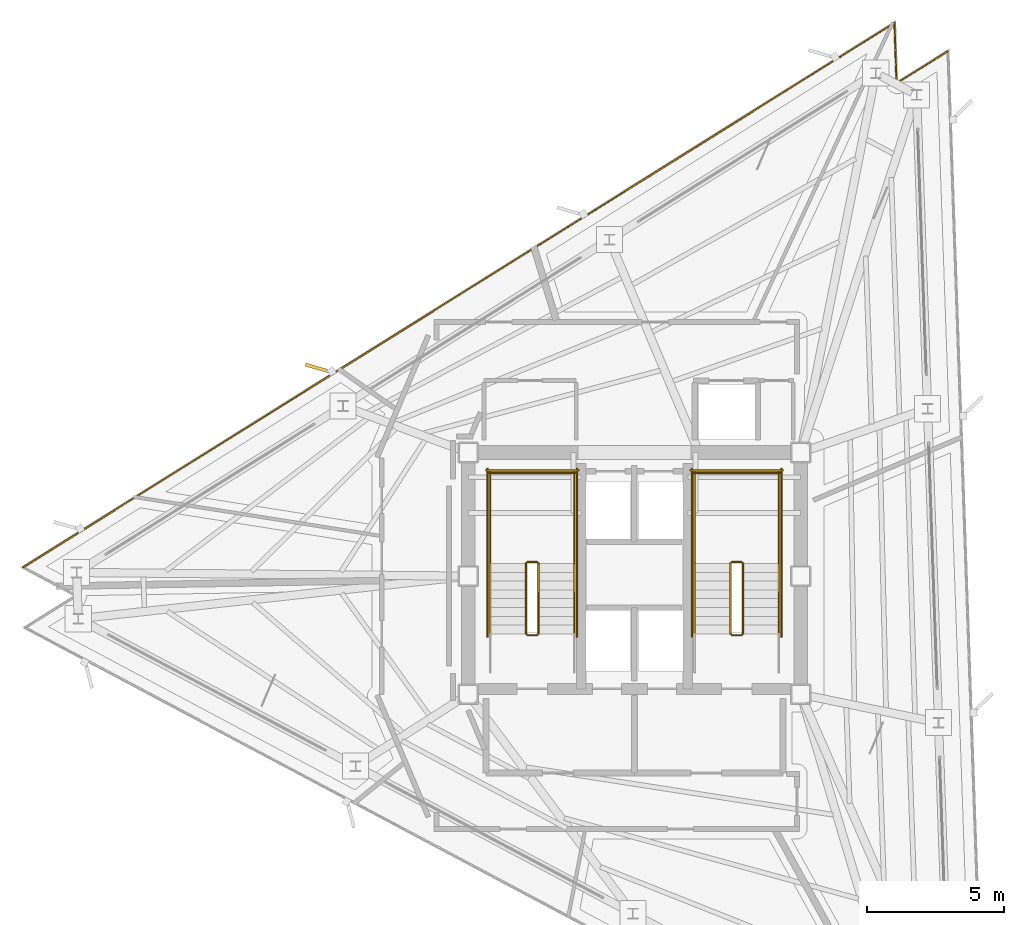
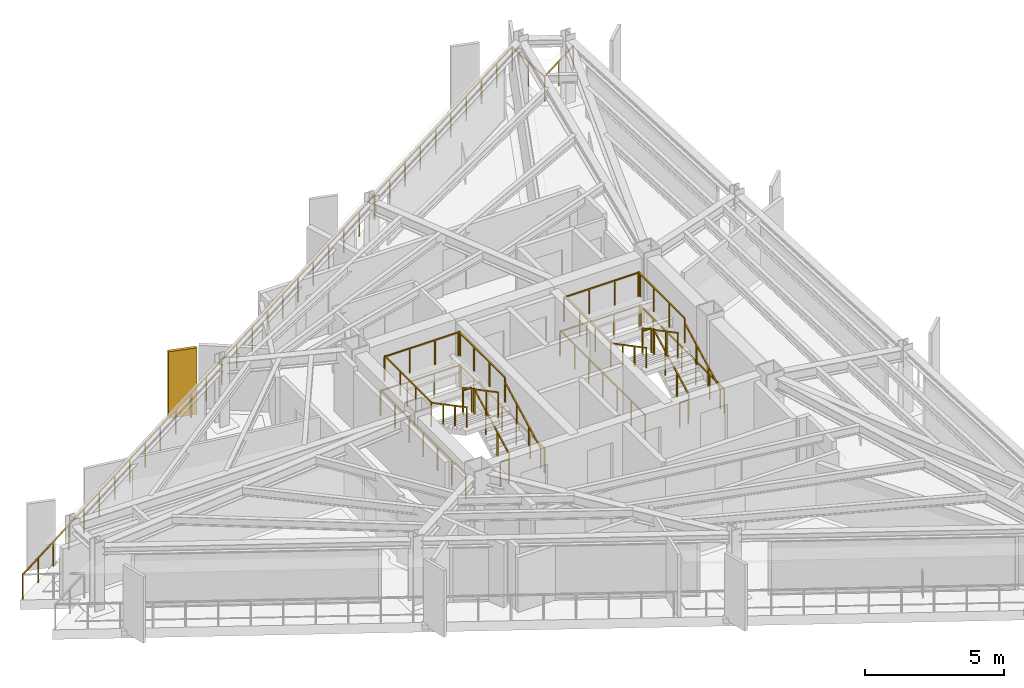
# One storey, part 12 of 13: 25 railings, 1 shading device.
"""IFC4 building model written with IfcOpenShell, lengths in metres."""

from ifc_helpers import new_model, si_unit, direction, frame, origin, origin_2d, place, context, subcontext, project, spatial, rectangle, extrude, material, layer, layer_set, type_object, element, save


model = new_model("IFC4")

# Units and contexts
model_context = context("Model", 3, precision=1e-05, world=origin(), true_north=direction((0.0, 1.0)))
body_context = subcontext(model_context, "Body", "Model", "MODEL_VIEW")
ifc_project = project(units=[si_unit("LENGTHUNIT", "METRE"), si_unit("AREAUNIT", "SQUARE_METRE"), si_unit("VOLUMEUNIT", "CUBIC_METRE"), si_unit("PLANEANGLEUNIT", "RADIAN"), si_unit("MASSUNIT", "GRAM", prefix="KILO")], contexts=[model_context])

# Site, building, storey
site_placement = place(None, origin())
site = spatial("IfcSite", under=ifc_project, at=site_placement, CompositionType="ELEMENT")
building_placement = place(site_placement, origin())
building = spatial("IfcBuilding", under=site, at=building_placement, Name="Rocaltana Carrier Exchange", CompositionType="ELEMENT")
storey_placement = place(building_placement, frame((0.0, 0.0, 193.60009765625)))
storey = spatial("IfcBuildingStorey", under=building, at=storey_placement, Name="L61", CompositionType="ELEMENT", Elevation=193.60009765625)

# Railings
ifc_material_1 = material(Name="Brushed Architectural Stainless Tube", Category="steel")
ifc_layer_1 = layer(ifc_material_1, 0.048095703125)
ifc_layer_set_1 = layer_set([ifc_layer_1], Name="Brushed Architectural Stainless Tube")
railing_type_1 = type_object("IfcRailingType", Name="Stair Wall Handrail 920", PredefinedType="HANDRAIL", material=ifc_layer_set_1)
railing_1_placement = place(storey_placement, frame((-2.18994140625, -2.10009765625, 0.168701171875)))
element("IfcRailing", 1, at=railing_1_placement, inside=storey, type_object=railing_type_1, Name="L61 ST-1 stair handrail 1", PredefinedType="HANDRAIL", context=body_context, shape_type="SweptSolid", body=[
    extrude(rectangle(XDim=0.048095703125, YDim=0.048095703125, at=origin_2d()), frame((0.0, 0.0, 0.8759765625), z_axis=(0.0, 0.884359608194, 0.46680625895), x_axis=(-1.0, 0.0, 0.0)), (0.0, 0.0, 1.0), 2.894775390625),
    extrude(rectangle(XDim=0.0419921875, YDim=0.0419921875, at=origin_2d()), origin(), (0.0, 0.0, 1.0), 0.851806640625),
    extrude(rectangle(XDim=0.0419921875, YDim=0.0419921875, at=origin_2d()), frame((0.0, 0.853271484375, 0.450439453125)), (0.0, 0.0, 1.0), 0.851806640625),
    extrude(rectangle(XDim=0.0419921875, YDim=0.0419921875, at=origin_2d()), frame((0.0, 1.706787109375, 0.90087890625)), (0.0, 0.0, 1.0), 0.851806640625),
    extrude(rectangle(XDim=0.0419921875, YDim=0.0419921875, at=origin_2d()), frame((0.0, 2.56005859375, 1.351318359375)), (0.0, 0.0, 1.0), 0.851806640625),
])
railing_2_placement = place(storey_placement, frame((-5.25, 0.4599609375, 1.688720703125)))
element("IfcRailing", 2, at=railing_2_placement, inside=storey, type_object=railing_type_1, Name="L61 ST-1 stair handrail 2", PredefinedType="HANDRAIL", context=body_context, shape_type="SweptSolid", body=[
    extrude(rectangle(XDim=0.048095703125, YDim=0.048095703125, at=origin_2d()), frame((0.0, 0.0, 0.8759765625), z_axis=(0.0, -0.884394423565, 0.466740295633), x_axis=(1.0, 0.0, 0.0)), (0.0, 0.0, 1.0), 2.894775390625),
    extrude(rectangle(XDim=0.0419921875, YDim=0.0419921875, at=origin_2d()), origin(), (0.0, 0.0, 1.0), 0.851806640625),
    extrude(rectangle(XDim=0.0419921875, YDim=0.0419921875, at=origin_2d()), frame((0.0, -0.853271484375, 0.450439453125)), (0.0, 0.0, 1.0), 0.851806640625),
    extrude(rectangle(XDim=0.0419921875, YDim=0.0419921875, at=origin_2d()), frame((0.0, -1.706787109375, 0.900634765625)), (0.0, 0.0, 1.0), 0.851806640625),
    extrude(rectangle(XDim=0.0419921875, YDim=0.0419921875, at=origin_2d()), frame((0.0, -2.56005859375, 1.35107421875)), (0.0, 0.0, 1.0), 0.851806640625),
])
railing_3_placement = place(storey_placement, frame((5.25, -2.10009765625, 0.168701171875)))
element("IfcRailing", 3, at=railing_3_placement, inside=storey, type_object=railing_type_1, Name="L61 ST-2 stair handrail 1", PredefinedType="HANDRAIL", context=body_context, shape_type="SweptSolid", body=[
    extrude(rectangle(XDim=0.048095703125, YDim=0.048095703125, at=origin_2d()), frame((0.0, 0.0, 0.8759765625), z_axis=(0.0, 0.884359608194, 0.46680625895), x_axis=(-1.0, 0.0, 0.0)), (0.0, 0.0, 1.0), 2.894775390625),
    extrude(rectangle(XDim=0.0419921875, YDim=0.0419921875, at=origin_2d()), origin(), (0.0, 0.0, 1.0), 0.851806640625),
    extrude(rectangle(XDim=0.0419921875, YDim=0.0419921875, at=origin_2d()), frame((0.0, 0.853271484375, 0.450439453125)), (0.0, 0.0, 1.0), 0.851806640625),
    extrude(rectangle(XDim=0.0419921875, YDim=0.0419921875, at=origin_2d()), frame((0.0, 1.706787109375, 0.90087890625)), (0.0, 0.0, 1.0), 0.851806640625),
    extrude(rectangle(XDim=0.0419921875, YDim=0.0419921875, at=origin_2d()), frame((0.0, 2.56005859375, 1.351318359375)), (0.0, 0.0, 1.0), 0.851806640625),
])
railing_4_placement = place(storey_placement, frame((2.18994140625, 0.4599609375, 1.688720703125)))
element("IfcRailing", 4, at=railing_4_placement, inside=storey, type_object=railing_type_1, Name="L61 ST-2 stair handrail 2", PredefinedType="HANDRAIL", context=body_context, shape_type="SweptSolid", body=[
    extrude(rectangle(XDim=0.048095703125, YDim=0.048095703125, at=origin_2d()), frame((0.0, 0.0, 0.8759765625), z_axis=(0.0, -0.884394423565, 0.466740295633), x_axis=(1.0, 0.0, 0.0)), (0.0, 0.0, 1.0), 2.894775390625),
    extrude(rectangle(XDim=0.0419921875, YDim=0.0419921875, at=origin_2d()), origin(), (0.0, 0.0, 1.0), 0.851806640625),
    extrude(rectangle(XDim=0.0419921875, YDim=0.0419921875, at=origin_2d()), frame((0.0, -0.853271484375, 0.450439453125)), (0.0, 0.0, 1.0), 0.851806640625),
    extrude(rectangle(XDim=0.0419921875, YDim=0.0419921875, at=origin_2d()), frame((0.0, -1.706787109375, 0.900634765625)), (0.0, 0.0, 1.0), 0.851806640625),
    extrude(rectangle(XDim=0.0419921875, YDim=0.0419921875, at=origin_2d()), frame((0.0, -2.56005859375, 1.35107421875)), (0.0, 0.0, 1.0), 0.851806640625),
])
ifc_material_2 = material(Name="Powder-Coated Aluminium 6063-T6", Category="aluminium")
ifc_layer_2 = layer(ifc_material_2, 0.048095703125)
ifc_layer_set_2 = layer_set([ifc_layer_2], Name="Powder-Coated Aluminium 6063-T6")
railing_type_2 = type_object("IfcRailingType", Name="Stair Well Guardrail 1100", PredefinedType="GUARDRAIL", material=ifc_layer_set_2)
railing_5_placement = place(storey_placement, frame((-3.489990234375, -2.10009765625, 0.168701171875)))
element("IfcRailing", 5, at=railing_5_placement, inside=storey, type_object=railing_type_2, Name="L61 ST-1 stair guard 1", PredefinedType="GUARDRAIL", context=body_context, shape_type="SweptSolid", body=[
    extrude(rectangle(XDim=0.048095703125, YDim=0.048095703125, at=origin_2d()), frame((0.0, 0.0, 1.076171875), z_axis=(0.0, 0.884359608194, 0.46680625895), x_axis=(-1.0, 0.0, 0.0)), (0.0, 0.0, 1.0), 2.894775390625),
    extrude(rectangle(XDim=0.0419921875, YDim=0.0419921875, at=origin_2d()), origin(), (0.0, 0.0, 1.0), 1.052001953125),
    extrude(rectangle(XDim=0.0419921875, YDim=0.0419921875, at=origin_2d()), frame((0.0, 0.853271484375, 0.450439453125)), (0.0, 0.0, 1.0), 1.052001953125),
    extrude(rectangle(XDim=0.0419921875, YDim=0.0419921875, at=origin_2d()), frame((0.0, 1.706787109375, 0.90087890625)), (0.0, 0.0, 1.0), 1.052001953125),
    extrude(rectangle(XDim=0.0419921875, YDim=0.0419921875, at=origin_2d()), frame((0.0, 2.56005859375, 1.351318359375)), (0.0, 0.0, 1.0), 1.052001953125),
])
railing_6_placement = place(storey_placement, frame((-3.5400390625, 0.510009765625, 1.52001953125)))
element("IfcRailing", 6, at=railing_6_placement, inside=storey, type_object=railing_type_2, Name="L61 ST-1 stair guard 2", PredefinedType="GUARDRAIL", context=body_context, shape_type="SweptSolid", body=[
    extrude(rectangle(XDim=0.048095703125, YDim=0.048095703125, at=origin_2d()), frame((0.0, 0.0, 1.076171875), z_axis=(-1.0, 0.0, 0.0), x_axis=(0.0, -1.0, 0.0)), (0.0, 0.0, 1.0), 0.35986328125),
    extrude(rectangle(XDim=0.0419921875, YDim=0.0419921875, at=origin_2d()), origin(), (0.0, 0.0, 1.0), 1.052001953125),
    extrude(rectangle(XDim=0.0419921875, YDim=0.0419921875, at=origin_2d()), frame((-0.35986328125, 0.0, 0.0)), (0.0, 0.0, 1.0), 1.052001953125),
])
for number, where, name in (
    (7, (-2.18994140625, 0.4599609375, 1.52001953125), "L61 ST-1 stair guard 3"),
    (8, (-5.25, 0.4599609375, 1.52001953125), "L61 ST-1 stair guard 4"),
):
    element("IfcRailing", number, at=place(storey_placement, frame(where)), inside=storey, type_object=railing_type_2, Name=name, PredefinedType="GUARDRAIL", context=body_context, shape_type="SweptSolid", body=[
        extrude(rectangle(XDim=0.048095703125, YDim=0.048095703125, at=origin_2d()), frame((0.0, 0.0, 1.076171875), z_axis=(0.0, 1.0, 0.0), x_axis=(-1.0, 0.0, 0.0)), (0.0, 0.0, 1.0), 3.340087890625),
        extrude(rectangle(XDim=0.0419921875, YDim=0.0419921875, at=origin_2d()), origin(), (0.0, 0.0, 1.0), 1.052001953125),
        extrude(rectangle(XDim=0.0419921875, YDim=0.0419921875, at=origin_2d()), frame((0.0, 1.11328125, 0.0)), (0.0, 0.0, 1.0), 1.052001953125),
        extrude(rectangle(XDim=0.0419921875, YDim=0.0419921875, at=origin_2d()), frame((0.0, 2.226806640625, 0.0)), (0.0, 0.0, 1.0), 1.052001953125),
        extrude(rectangle(XDim=0.0419921875, YDim=0.0419921875, at=origin_2d()), frame((0.0, 3.340087890625, 0.0)), (0.0, 0.0, 1.0), 1.052001953125),
    ])
railing_7_placement = place(storey_placement, frame((-2.139892578125, 3.75, 1.52001953125)))
element("IfcRailing", 9, at=railing_7_placement, inside=storey, type_object=railing_type_2, Name="L61 ST-1 stair guard 5", PredefinedType="GUARDRAIL", context=body_context, shape_type="SweptSolid", body=[
    extrude(rectangle(XDim=0.048095703125, YDim=0.048095703125, at=origin_2d()), frame((0.0, 0.0, 1.076171875), z_axis=(-1.0, 0.0, 0.0), x_axis=(0.0, -1.0, 0.0)), (0.0, 0.0, 1.0), 3.16015625),
    extrude(rectangle(XDim=0.0419921875, YDim=0.0419921875, at=origin_2d()), origin(), (0.0, 0.0, 1.0), 1.052001953125),
    extrude(rectangle(XDim=0.0419921875, YDim=0.0419921875, at=origin_2d()), frame((-1.053466796875, 0.0, 0.0)), (0.0, 0.0, 1.0), 1.052001953125),
    extrude(rectangle(XDim=0.0419921875, YDim=0.0419921875, at=origin_2d()), frame((-2.106689453125, 0.0, 0.0)), (0.0, 0.0, 1.0), 1.052001953125),
    extrude(rectangle(XDim=0.0419921875, YDim=0.0419921875, at=origin_2d()), frame((-3.16015625, 0.0, 0.0)), (0.0, 0.0, 1.0), 1.052001953125),
])
railing_8_placement = place(storey_placement, frame((-3.949951171875, 0.4599609375, 1.688720703125)))
element("IfcRailing", 10, at=railing_8_placement, inside=storey, type_object=railing_type_2, Name="L61 ST-1 stair guard 6", PredefinedType="GUARDRAIL", context=body_context, shape_type="SweptSolid", body=[
    extrude(rectangle(XDim=0.048095703125, YDim=0.048095703125, at=origin_2d()), frame((0.0, 0.0, 1.076171875), z_axis=(0.0, -0.884394423565, 0.466740295633), x_axis=(1.0, 0.0, 0.0)), (0.0, 0.0, 1.0), 2.894775390625),
    extrude(rectangle(XDim=0.0419921875, YDim=0.0419921875, at=origin_2d()), origin(), (0.0, 0.0, 1.0), 1.052001953125),
    extrude(rectangle(XDim=0.0419921875, YDim=0.0419921875, at=origin_2d()), frame((0.0, -0.853271484375, 0.450439453125)), (0.0, 0.0, 1.0), 1.052001953125),
    extrude(rectangle(XDim=0.0419921875, YDim=0.0419921875, at=origin_2d()), frame((0.0, -1.706787109375, 0.900634765625)), (0.0, 0.0, 1.0), 1.052001953125),
    extrude(rectangle(XDim=0.0419921875, YDim=0.0419921875, at=origin_2d()), frame((0.0, -2.56005859375, 1.35107421875)), (0.0, 0.0, 1.0), 1.052001953125),
])
railing_9_placement = place(storey_placement, frame((-3.5400390625, -2.14990234375, 0.0)))
element("IfcRailing", 11, at=railing_9_placement, inside=storey, type_object=railing_type_2, Name="L61 ST-1 stair guard 7", PredefinedType="GUARDRAIL", context=body_context, shape_type="SweptSolid", body=[
    extrude(rectangle(XDim=0.048095703125, YDim=0.048095703125, at=origin_2d()), frame((0.0, 0.0, 1.076171875), z_axis=(-1.0, 0.0, 0.0), x_axis=(0.0, -1.0, 0.0)), (0.0, 0.0, 1.0), 0.35986328125),
    extrude(rectangle(XDim=0.0419921875, YDim=0.0419921875, at=origin_2d()), origin(), (0.0, 0.0, 1.0), 1.052001953125),
    extrude(rectangle(XDim=0.0419921875, YDim=0.0419921875, at=origin_2d()), frame((-0.35986328125, 0.0, 0.0)), (0.0, 0.0, 1.0), 1.052001953125),
])
for number, where, name in (
    (12, (-2.090087890625, -2.199951171875, 0.0), "L61 ST-1 stair guard 10"),
    (13, (-5.35009765625, -2.199951171875, 0.0), "L61 ST-1 stair guard 11"),
):
    element("IfcRailing", number, at=place(storey_placement, frame(where)), inside=storey, type_object=railing_type_2, Name=name, PredefinedType="GUARDRAIL", context=body_context, shape_type="SweptSolid", body=[
        extrude(rectangle(XDim=0.048095703125, YDim=0.048095703125, at=origin_2d()), frame((0.0, 0.0, 1.076171875), z_axis=(0.0, 1.0, 0.0), x_axis=(-1.0, 0.0, 0.0)), (0.0, 0.0, 1.0), 6.099853515625),
        extrude(rectangle(XDim=0.0419921875, YDim=0.0419921875, at=origin_2d()), origin(), (0.0, 0.0, 1.0), 1.052001953125),
        extrude(rectangle(XDim=0.0419921875, YDim=0.0419921875, at=origin_2d()), frame((0.0, 1.0166015625, 0.0)), (0.0, 0.0, 1.0), 1.052001953125),
        extrude(rectangle(XDim=0.0419921875, YDim=0.0419921875, at=origin_2d()), frame((0.0, 2.033203125, 0.0)), (0.0, 0.0, 1.0), 1.052001953125),
        extrude(rectangle(XDim=0.0419921875, YDim=0.0419921875, at=origin_2d()), frame((0.0, 3.0498046875, 0.0)), (0.0, 0.0, 1.0), 1.052001953125),
        extrude(rectangle(XDim=0.0419921875, YDim=0.0419921875, at=origin_2d()), frame((0.0, 4.066650390625, 0.0)), (0.0, 0.0, 1.0), 1.052001953125),
        extrude(rectangle(XDim=0.0419921875, YDim=0.0419921875, at=origin_2d()), frame((0.0, 5.083251953125, 0.0)), (0.0, 0.0, 1.0), 1.052001953125),
        extrude(rectangle(XDim=0.0419921875, YDim=0.0419921875, at=origin_2d()), frame((0.0, 6.099853515625, 0.0)), (0.0, 0.0, 1.0), 1.052001953125),
    ])
railing_10_placement = place(storey_placement, frame((-2.0400390625, 3.85009765625, 0.0)))
element("IfcRailing", 14, at=railing_10_placement, inside=storey, type_object=railing_type_2, Name="L61 ST-1 stair guard 12", PredefinedType="GUARDRAIL", context=body_context, shape_type="SweptSolid", body=[
    extrude(rectangle(XDim=0.048095703125, YDim=0.048095703125, at=origin_2d()), frame((0.0, 0.0, 1.076171875), z_axis=(-1.0, 0.0, 0.0), x_axis=(0.0, -1.0, 0.0)), (0.0, 0.0, 1.0), 3.35986328125),
    extrude(rectangle(XDim=0.0419921875, YDim=0.0419921875, at=origin_2d()), origin(), (0.0, 0.0, 1.0), 1.052001953125),
    extrude(rectangle(XDim=0.0419921875, YDim=0.0419921875, at=origin_2d()), frame((-1.119873046875, 0.0, 0.0)), (0.0, 0.0, 1.0), 1.052001953125),
    extrude(rectangle(XDim=0.0419921875, YDim=0.0419921875, at=origin_2d()), frame((-2.239990234375, 0.0, 0.0)), (0.0, 0.0, 1.0), 1.052001953125),
    extrude(rectangle(XDim=0.0419921875, YDim=0.0419921875, at=origin_2d()), frame((-3.35986328125, 0.0, 0.0)), (0.0, 0.0, 1.0), 1.052001953125),
])
railing_11_placement = place(storey_placement, frame((3.949951171875, -2.10009765625, 0.168701171875)))
element("IfcRailing", 15, at=railing_11_placement, inside=storey, type_object=railing_type_2, Name="L61 ST-2 stair guard 1", PredefinedType="GUARDRAIL", context=body_context, shape_type="SweptSolid", body=[
    extrude(rectangle(XDim=0.048095703125, YDim=0.048095703125, at=origin_2d()), frame((0.0, 0.0, 1.076171875), z_axis=(0.0, 0.884359608194, 0.46680625895), x_axis=(-1.0, 0.0, 0.0)), (0.0, 0.0, 1.0), 2.894775390625),
    extrude(rectangle(XDim=0.0419921875, YDim=0.0419921875, at=origin_2d()), origin(), (0.0, 0.0, 1.0), 1.052001953125),
    extrude(rectangle(XDim=0.0419921875, YDim=0.0419921875, at=origin_2d()), frame((0.0, 0.853271484375, 0.450439453125)), (0.0, 0.0, 1.0), 1.052001953125),
    extrude(rectangle(XDim=0.0419921875, YDim=0.0419921875, at=origin_2d()), frame((0.0, 1.706787109375, 0.90087890625)), (0.0, 0.0, 1.0), 1.052001953125),
    extrude(rectangle(XDim=0.0419921875, YDim=0.0419921875, at=origin_2d()), frame((0.0, 2.56005859375, 1.351318359375)), (0.0, 0.0, 1.0), 1.052001953125),
])
railing_12_placement = place(storey_placement, frame((3.89990234375, 0.510009765625, 1.52001953125)))
element("IfcRailing", 16, at=railing_12_placement, inside=storey, type_object=railing_type_2, Name="L61 ST-2 stair guard 2", PredefinedType="GUARDRAIL", context=body_context, shape_type="SweptSolid", body=[
    extrude(rectangle(XDim=0.048095703125, YDim=0.048095703125, at=origin_2d()), frame((0.0, 0.0, 1.076171875), z_axis=(-1.0, 0.0, 0.0), x_axis=(0.0, -1.0, 0.0)), (0.0, 0.0, 1.0), 0.35986328125),
    extrude(rectangle(XDim=0.0419921875, YDim=0.0419921875, at=origin_2d()), origin(), (0.0, 0.0, 1.0), 1.052001953125),
    extrude(rectangle(XDim=0.0419921875, YDim=0.0419921875, at=origin_2d()), frame((-0.35986328125, 0.0, 0.0)), (0.0, 0.0, 1.0), 1.052001953125),
])
for number, where, name in (
    (17, (5.25, 0.4599609375, 1.52001953125), "L61 ST-2 stair guard 3"),
    (18, (2.18994140625, 0.4599609375, 1.52001953125), "L61 ST-2 stair guard 4"),
):
    element("IfcRailing", number, at=place(storey_placement, frame(where)), inside=storey, type_object=railing_type_2, Name=name, PredefinedType="GUARDRAIL", context=body_context, shape_type="SweptSolid", body=[
        extrude(rectangle(XDim=0.048095703125, YDim=0.048095703125, at=origin_2d()), frame((0.0, 0.0, 1.076171875), z_axis=(0.0, 1.0, 0.0), x_axis=(-1.0, 0.0, 0.0)), (0.0, 0.0, 1.0), 3.340087890625),
        extrude(rectangle(XDim=0.0419921875, YDim=0.0419921875, at=origin_2d()), origin(), (0.0, 0.0, 1.0), 1.052001953125),
        extrude(rectangle(XDim=0.0419921875, YDim=0.0419921875, at=origin_2d()), frame((0.0, 1.11328125, 0.0)), (0.0, 0.0, 1.0), 1.052001953125),
        extrude(rectangle(XDim=0.0419921875, YDim=0.0419921875, at=origin_2d()), frame((0.0, 2.226806640625, 0.0)), (0.0, 0.0, 1.0), 1.052001953125),
        extrude(rectangle(XDim=0.0419921875, YDim=0.0419921875, at=origin_2d()), frame((0.0, 3.340087890625, 0.0)), (0.0, 0.0, 1.0), 1.052001953125),
    ])
railing_13_placement = place(storey_placement, frame((5.300048828125, 3.75, 1.52001953125)))
element("IfcRailing", 19, at=railing_13_placement, inside=storey, type_object=railing_type_2, Name="L61 ST-2 stair guard 5", PredefinedType="GUARDRAIL", context=body_context, shape_type="SweptSolid", body=[
    extrude(rectangle(XDim=0.048095703125, YDim=0.048095703125, at=origin_2d()), frame((0.0, 0.0, 1.076171875), z_axis=(-1.0, 0.0, 0.0), x_axis=(0.0, -1.0, 0.0)), (0.0, 0.0, 1.0), 3.16015625),
    extrude(rectangle(XDim=0.0419921875, YDim=0.0419921875, at=origin_2d()), origin(), (0.0, 0.0, 1.0), 1.052001953125),
    extrude(rectangle(XDim=0.0419921875, YDim=0.0419921875, at=origin_2d()), frame((-1.053466796875, 0.0, 0.0)), (0.0, 0.0, 1.0), 1.052001953125),
    extrude(rectangle(XDim=0.0419921875, YDim=0.0419921875, at=origin_2d()), frame((-2.106689453125, 0.0, 0.0)), (0.0, 0.0, 1.0), 1.052001953125),
    extrude(rectangle(XDim=0.0419921875, YDim=0.0419921875, at=origin_2d()), frame((-3.16015625, 0.0, 0.0)), (0.0, 0.0, 1.0), 1.052001953125),
])
railing_14_placement = place(storey_placement, frame((3.489990234375, 0.4599609375, 1.688720703125)))
element("IfcRailing", 20, at=railing_14_placement, inside=storey, type_object=railing_type_2, Name="L61 ST-2 stair guard 6", PredefinedType="GUARDRAIL", context=body_context, shape_type="SweptSolid", body=[
    extrude(rectangle(XDim=0.048095703125, YDim=0.048095703125, at=origin_2d()), frame((0.0, 0.0, 1.076171875), z_axis=(0.0, -0.884394423565, 0.466740295633), x_axis=(1.0, 0.0, 0.0)), (0.0, 0.0, 1.0), 2.894775390625),
    extrude(rectangle(XDim=0.0419921875, YDim=0.0419921875, at=origin_2d()), origin(), (0.0, 0.0, 1.0), 1.052001953125),
    extrude(rectangle(XDim=0.0419921875, YDim=0.0419921875, at=origin_2d()), frame((0.0, -0.853271484375, 0.450439453125)), (0.0, 0.0, 1.0), 1.052001953125),
    extrude(rectangle(XDim=0.0419921875, YDim=0.0419921875, at=origin_2d()), frame((0.0, -1.706787109375, 0.900634765625)), (0.0, 0.0, 1.0), 1.052001953125),
    extrude(rectangle(XDim=0.0419921875, YDim=0.0419921875, at=origin_2d()), frame((0.0, -2.56005859375, 1.35107421875)), (0.0, 0.0, 1.0), 1.052001953125),
])
railing_15_placement = place(storey_placement, frame((3.89990234375, -2.14990234375, 0.0)))
element("IfcRailing", 21, at=railing_15_placement, inside=storey, type_object=railing_type_2, Name="L61 ST-2 stair guard 7", PredefinedType="GUARDRAIL", context=body_context, shape_type="SweptSolid", body=[
    extrude(rectangle(XDim=0.048095703125, YDim=0.048095703125, at=origin_2d()), frame((0.0, 0.0, 1.076171875), z_axis=(-1.0, 0.0, 0.0), x_axis=(0.0, -1.0, 0.0)), (0.0, 0.0, 1.0), 0.35986328125),
    extrude(rectangle(XDim=0.0419921875, YDim=0.0419921875, at=origin_2d()), origin(), (0.0, 0.0, 1.0), 1.052001953125),
    extrude(rectangle(XDim=0.0419921875, YDim=0.0419921875, at=origin_2d()), frame((-0.35986328125, 0.0, 0.0)), (0.0, 0.0, 1.0), 1.052001953125),
])
for number, where, name in (
    (22, (5.35009765625, -2.199951171875, 0.0), "L61 ST-2 stair guard 10"),
    (23, (2.090087890625, -2.199951171875, 0.0), "L61 ST-2 stair guard 11"),
):
    element("IfcRailing", number, at=place(storey_placement, frame(where)), inside=storey, type_object=railing_type_2, Name=name, PredefinedType="GUARDRAIL", context=body_context, shape_type="SweptSolid", body=[
        extrude(rectangle(XDim=0.048095703125, YDim=0.048095703125, at=origin_2d()), frame((0.0, 0.0, 1.076171875), z_axis=(0.0, 1.0, 0.0), x_axis=(-1.0, 0.0, 0.0)), (0.0, 0.0, 1.0), 6.099853515625),
        extrude(rectangle(XDim=0.0419921875, YDim=0.0419921875, at=origin_2d()), origin(), (0.0, 0.0, 1.0), 1.052001953125),
        extrude(rectangle(XDim=0.0419921875, YDim=0.0419921875, at=origin_2d()), frame((0.0, 1.0166015625, 0.0)), (0.0, 0.0, 1.0), 1.052001953125),
        extrude(rectangle(XDim=0.0419921875, YDim=0.0419921875, at=origin_2d()), frame((0.0, 2.033203125, 0.0)), (0.0, 0.0, 1.0), 1.052001953125),
        extrude(rectangle(XDim=0.0419921875, YDim=0.0419921875, at=origin_2d()), frame((0.0, 3.0498046875, 0.0)), (0.0, 0.0, 1.0), 1.052001953125),
        extrude(rectangle(XDim=0.0419921875, YDim=0.0419921875, at=origin_2d()), frame((0.0, 4.066650390625, 0.0)), (0.0, 0.0, 1.0), 1.052001953125),
        extrude(rectangle(XDim=0.0419921875, YDim=0.0419921875, at=origin_2d()), frame((0.0, 5.083251953125, 0.0)), (0.0, 0.0, 1.0), 1.052001953125),
        extrude(rectangle(XDim=0.0419921875, YDim=0.0419921875, at=origin_2d()), frame((0.0, 6.099853515625, 0.0)), (0.0, 0.0, 1.0), 1.052001953125),
    ])
railing_16_placement = place(storey_placement, frame((5.39990234375, 3.85009765625, 0.0)))
element("IfcRailing", 24, at=railing_16_placement, inside=storey, type_object=railing_type_2, Name="L61 ST-2 stair guard 12", PredefinedType="GUARDRAIL", context=body_context, shape_type="SweptSolid", body=[
    extrude(rectangle(XDim=0.048095703125, YDim=0.048095703125, at=origin_2d()), frame((0.0, 0.0, 1.076171875), z_axis=(-1.0, 0.0, 0.0), x_axis=(0.0, -1.0, 0.0)), (0.0, 0.0, 1.0), 3.35986328125),
    extrude(rectangle(XDim=0.0419921875, YDim=0.0419921875, at=origin_2d()), origin(), (0.0, 0.0, 1.0), 1.052001953125),
    extrude(rectangle(XDim=0.0419921875, YDim=0.0419921875, at=origin_2d()), frame((-1.119873046875, 0.0, 0.0)), (0.0, 0.0, 1.0), 1.052001953125),
    extrude(rectangle(XDim=0.0419921875, YDim=0.0419921875, at=origin_2d()), frame((-2.239990234375, 0.0, 0.0)), (0.0, 0.0, 1.0), 1.052001953125),
    extrude(rectangle(XDim=0.0419921875, YDim=0.0419921875, at=origin_2d()), frame((-3.35986328125, 0.0, 0.0)), (0.0, 0.0, 1.0), 1.052001953125),
])

# Shading device
ifc_material_3 = material(Name="Honed Bogota Sandstone & Concrete C45/55", Category="masonry")
ifc_layer_3 = layer(ifc_material_3, 0.1201171875)
ifc_layer_set_3 = layer_set([ifc_layer_3], Name="Honed Bogota Sandstone & Concrete C45/55")
shading_device_type = type_object("IfcShadingDeviceType", Name="Upper Sandstone Shading Fin 1050x120", PredefinedType="USERDEFINED", material=ifc_layer_set_3)
shading_device_placement = place(storey_placement, frame((-11.470703125, 7.55419921875, -0.1201171875), z_axis=(0.0, 0.0, 1.0), x_axis=(-0.961261695938, 0.275637355817, 0.0)))
element("IfcShadingDevice", 25, at=shading_device_placement, inside=storey, type_object=shading_device_type, Name="L61 Sandstone Vertical Fin F2-03", ObjectType="FIN", PredefinedType="USERDEFINED", context=body_context, shape_type="SweptSolid", body=[
    extrude(rectangle(XDim=1.050048828125, YDim=0.1201171875, at=origin_2d()), origin(), (0.0, 0.0, 1.0), 2.91796875),
])

# Railing
ifc_material_4 = material(Name="Powder-Coated Aluminium 6063-T6", Category="aluminium")
ifc_layer_4 = layer(ifc_material_4, 0.06005859375)
ifc_layer_set_4 = layer_set([ifc_layer_4], Name="Powder-Coated Aluminium 6063-T6")
railing_type_3 = type_object("IfcRailingType", Name="Wind-Floor & Terrace Perimeter Guardrail 1100", PredefinedType="GUARDRAIL", material=ifc_layer_set_4)
railing_17_placement = place(storey_placement, frame((-22.248291015625, 0.32373046875, 0.0)))
element("IfcRailing", 26, at=railing_17_placement, inside=storey, type_object=railing_type_3, Name="L61 Perimeter Balcony Guardrail 2", PredefinedType="GUARDRAIL", context=body_context, shape_type="SweptSolid", body=[
    extrude(rectangle(XDim=0.048095703125, YDim=0.048095703125, at=origin_2d()), frame((0.0, 0.0, 1.076171875), z_axis=(0.848050386707, 0.529915598568, 0.0), x_axis=(-0.529915598568, 0.848050386707, 0.0)), (0.0, 0.0, 1.0), 37.39208984375),
    extrude(rectangle(XDim=0.048095703125, YDim=0.048095703125, at=origin_2d()), frame((31.71044921875, 19.814697265625, 1.076171875), z_axis=(0.034848337617, -0.999392612223, 0.0), x_axis=(0.999392612223, 0.034848337617, 0.0)), (0.0, 0.0, 1.0), 2.19970703125),
    extrude(rectangle(XDim=0.048095703125, YDim=0.048095703125, at=origin_2d()), frame((31.787109375, 17.6162109375, 1.076171875), z_axis=(0.848060642886, 0.52989918474, 0.0), x_axis=(-0.52989918474, 0.848060642886, 0.0)), (0.0, 0.0, 1.0), 2.199951171875),
    extrude(rectangle(XDim=0.0419921875, YDim=0.0419921875, at=origin_2d()), origin(), (0.0, 0.0, 1.0), 1.052001953125),
    extrude(rectangle(XDim=0.0419921875, YDim=0.0419921875, at=origin_2d()), frame((0.990966796875, 0.619140625, 0.0)), (0.0, 0.0, 1.0), 1.052001953125),
    extrude(rectangle(XDim=0.0419921875, YDim=0.0419921875, at=origin_2d()), frame((1.98193359375, 1.238525390625, 0.0)), (0.0, 0.0, 1.0), 1.052001953125),
    extrude(rectangle(XDim=0.0419921875, YDim=0.0419921875, at=origin_2d()), frame((2.972900390625, 1.857666015625, 0.0)), (0.0, 0.0, 1.0), 1.052001953125),
    extrude(rectangle(XDim=0.0419921875, YDim=0.0419921875, at=origin_2d()), frame((3.9638671875, 2.476806640625, 0.0)), (0.0, 0.0, 1.0), 1.052001953125),
    extrude(rectangle(XDim=0.0419921875, YDim=0.0419921875, at=origin_2d()), frame((4.954833984375, 3.095947265625, 0.0)), (0.0, 0.0, 1.0), 1.052001953125),
    extrude(rectangle(XDim=0.0419921875, YDim=0.0419921875, at=origin_2d()), frame((5.94580078125, 3.71533203125, 0.0)), (0.0, 0.0, 1.0), 1.052001953125),
    extrude(rectangle(XDim=0.0419921875, YDim=0.0419921875, at=origin_2d()), frame((6.936767578125, 4.33447265625, 0.0)), (0.0, 0.0, 1.0), 1.052001953125),
    extrude(rectangle(XDim=0.0419921875, YDim=0.0419921875, at=origin_2d()), frame((7.927734375, 4.95361328125, 0.0)), (0.0, 0.0, 1.0), 1.052001953125),
    extrude(rectangle(XDim=0.0419921875, YDim=0.0419921875, at=origin_2d()), frame((8.91845703125, 5.572998046875, 0.0)), (0.0, 0.0, 1.0), 1.052001953125),
    extrude(rectangle(XDim=0.0419921875, YDim=0.0419921875, at=origin_2d()), frame((9.909423828125, 6.192138671875, 0.0)), (0.0, 0.0, 1.0), 1.052001953125),
    extrude(rectangle(XDim=0.0419921875, YDim=0.0419921875, at=origin_2d()), frame((10.900390625, 6.811279296875, 0.0)), (0.0, 0.0, 1.0), 1.052001953125),
    extrude(rectangle(XDim=0.0419921875, YDim=0.0419921875, at=origin_2d()), frame((11.891357421875, 7.430419921875, 0.0)), (0.0, 0.0, 1.0), 1.052001953125),
    extrude(rectangle(XDim=0.0419921875, YDim=0.0419921875, at=origin_2d()), frame((12.88232421875, 8.0498046875, 0.0)), (0.0, 0.0, 1.0), 1.052001953125),
    extrude(rectangle(XDim=0.0419921875, YDim=0.0419921875, at=origin_2d()), frame((13.873291015625, 8.6689453125, 0.0)), (0.0, 0.0, 1.0), 1.052001953125),
    extrude(rectangle(XDim=0.0419921875, YDim=0.0419921875, at=origin_2d()), frame((14.8642578125, 9.2880859375, 0.0)), (0.0, 0.0, 1.0), 1.052001953125),
    extrude(rectangle(XDim=0.0419921875, YDim=0.0419921875, at=origin_2d()), frame((15.855224609375, 9.9072265625, 0.0)), (0.0, 0.0, 1.0), 1.052001953125),
    extrude(rectangle(XDim=0.0419921875, YDim=0.0419921875, at=origin_2d()), frame((16.84619140625, 10.526611328125, 0.0)), (0.0, 0.0, 1.0), 1.052001953125),
    extrude(rectangle(XDim=0.0419921875, YDim=0.0419921875, at=origin_2d()), frame((17.837158203125, 11.145751953125, 0.0)), (0.0, 0.0, 1.0), 1.052001953125),
    extrude(rectangle(XDim=0.0419921875, YDim=0.0419921875, at=origin_2d()), frame((18.828125, 11.764892578125, 0.0)), (0.0, 0.0, 1.0), 1.052001953125),
    extrude(rectangle(XDim=0.0419921875, YDim=0.0419921875, at=origin_2d()), frame((19.819091796875, 12.38427734375, 0.0)), (0.0, 0.0, 1.0), 1.052001953125),
    extrude(rectangle(XDim=0.0419921875, YDim=0.0419921875, at=origin_2d()), frame((20.81005859375, 13.00341796875, 0.0)), (0.0, 0.0, 1.0), 1.052001953125),
    extrude(rectangle(XDim=0.0419921875, YDim=0.0419921875, at=origin_2d()), frame((21.801025390625, 13.62255859375, 0.0)), (0.0, 0.0, 1.0), 1.052001953125),
    extrude(rectangle(XDim=0.0419921875, YDim=0.0419921875, at=origin_2d()), frame((22.7919921875, 14.24169921875, 0.0)), (0.0, 0.0, 1.0), 1.052001953125),
    extrude(rectangle(XDim=0.0419921875, YDim=0.0419921875, at=origin_2d()), frame((23.78271484375, 14.861083984375, 0.0)), (0.0, 0.0, 1.0), 1.052001953125),
    extrude(rectangle(XDim=0.0419921875, YDim=0.0419921875, at=origin_2d()), frame((24.773681640625, 15.480224609375, 0.0)), (0.0, 0.0, 1.0), 1.052001953125),
    extrude(rectangle(XDim=0.0419921875, YDim=0.0419921875, at=origin_2d()), frame((25.7646484375, 16.099365234375, 0.0)), (0.0, 0.0, 1.0), 1.052001953125),
    extrude(rectangle(XDim=0.0419921875, YDim=0.0419921875, at=origin_2d()), frame((26.755615234375, 16.71875, 0.0)), (0.0, 0.0, 1.0), 1.052001953125),
    extrude(rectangle(XDim=0.0419921875, YDim=0.0419921875, at=origin_2d()), frame((27.74658203125, 17.337890625, 0.0)), (0.0, 0.0, 1.0), 1.052001953125),
    extrude(rectangle(XDim=0.0419921875, YDim=0.0419921875, at=origin_2d()), frame((28.737548828125, 17.95703125, 0.0)), (0.0, 0.0, 1.0), 1.052001953125),
    extrude(rectangle(XDim=0.0419921875, YDim=0.0419921875, at=origin_2d()), frame((29.728515625, 18.576171875, 0.0)), (0.0, 0.0, 1.0), 1.052001953125),
    extrude(rectangle(XDim=0.0419921875, YDim=0.0419921875, at=origin_2d()), frame((30.719482421875, 19.195556640625, 0.0)), (0.0, 0.0, 1.0), 1.052001953125),
    extrude(rectangle(XDim=0.0419921875, YDim=0.0419921875, at=origin_2d()), frame((31.71044921875, 19.814697265625, 0.0)), (0.0, 0.0, 1.0), 1.052001953125),
    extrude(rectangle(XDim=0.0419921875, YDim=0.0419921875, at=origin_2d()), frame((31.748779296875, 18.71533203125, 0.0)), (0.0, 0.0, 1.0), 1.052001953125),
    extrude(rectangle(XDim=0.0419921875, YDim=0.0419921875, at=origin_2d()), frame((31.787109375, 17.6162109375, 0.0)), (0.0, 0.0, 1.0), 1.052001953125),
    extrude(rectangle(XDim=0.0419921875, YDim=0.0419921875, at=origin_2d()), frame((32.719970703125, 18.19921875, 0.0)), (0.0, 0.0, 1.0), 1.052001953125),
    extrude(rectangle(XDim=0.0419921875, YDim=0.0419921875, at=origin_2d()), frame((33.65283203125, 18.781982421875, 0.0)), (0.0, 0.0, 1.0), 1.052001953125),
])

save(model, "model.ifc")
